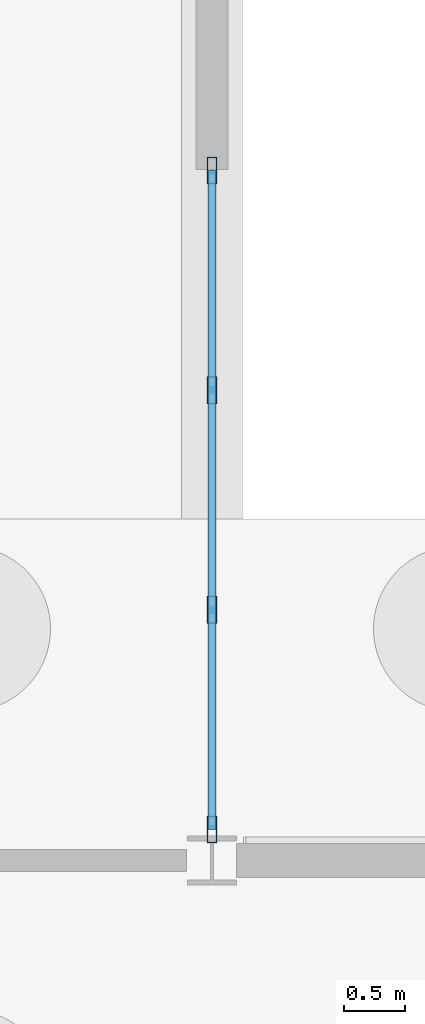
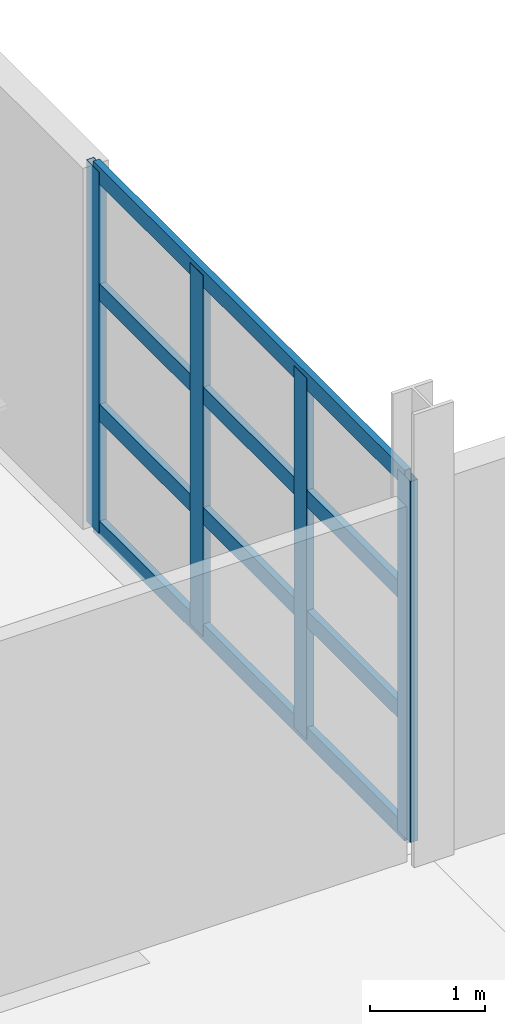
# One storey, part 39 of 82: 8 members, 1 element without a shape of its own.
"""IFC4 building model written with IfcOpenShell, lengths in metres."""

import ifcopenshell
import ifcopenshell.guid

model = None  # the IFC model being written
_history = None  # IfcOwnerHistory: only IFC2X3 demands one
_inside = {}  # id of a spatial element -> (the spatial element, [elements in it])
_under = {}  # id of a project, library or spatial element -> (it, [spatial elements below it])
_declared = {}  # id of a project -> (the project, [libraries it declares])
_typed = {}  # id of a type object -> (the type object, [elements of that type])
_made_of = {}  # id of a material, layer set ... -> (it, [elements and type objects made of it])


def new_model(schema):
    """Start an empty IFC model of exactly this schema.

    Asked for "IFC4X3", IfcOpenShell would pick the latest addendum, in which some entities
    have other attributes; the version numbers below select the first issue.
    IFC2X3 requires an IfcOwnerHistory on every rooted entity: one is made here for all.
    """
    global model, _history
    if schema == "IFC4X3":
        model = ifcopenshell.file(schema_version=(4, 3, 0, 0))
    else:
        model = ifcopenshell.file(schema=schema)
    _inside.clear()
    _under.clear()
    _declared.clear()
    _typed.clear()
    _made_of.clear()
    _history = None
    if model.schema == "IFC2X3":
        org = make("IfcOrganization", Name="unknown")
        user = make(
            "IfcPersonAndOrganization",
            ThePerson=make("IfcPerson", FamilyName="unknown"),
            TheOrganization=org,
        )
        app = make(
            "IfcApplication",
            ApplicationDeveloper=org,
            Version="unknown",
            ApplicationFullName="unknown",
            ApplicationIdentifier="unknown",
        )
        _history = make(
            "IfcOwnerHistory",
            OwningUser=user,
            OwningApplication=app,
            ChangeAction="ADDED",
            CreationDate=0,
        )
    return model


def make(cls, **values):
    """One entity of the class cls with the attributes given. An attribute that is None is left unset."""
    return model.create_entity(
        cls, **{name: value for name, value in values.items() if value is not None}
    )


def rooted(cls, **values):
    """An entity with a GlobalId (a new one), such as an element, a storey or a relation."""
    return make(cls, GlobalId=ifcopenshell.guid.new(), OwnerHistory=_history, **values)


def si_unit(unit_type, name, prefix=None):
    """IfcSIUnit, for example si_unit("LENGTHUNIT", "METRE", prefix="MILLI")."""
    return make("IfcSIUnit", UnitType=unit_type, Prefix=prefix, Name=name)


def assignment(units):
    """IfcUnitAssignment: the units of a project."""
    return None if units is None else make("IfcUnitAssignment", Units=units)


def point(xyz):
    """IfcCartesianPoint."""
    return None if xyz is None else make("IfcCartesianPoint", Coordinates=xyz)


def direction(xyz):
    """IfcDirection."""
    return None if xyz is None else make("IfcDirection", DirectionRatios=xyz)


def frame(location, z_axis=None, x_axis=None):
    """IfcAxis2Placement3D, a coordinate frame: its origin and axes. An axis left out is left unset."""
    return make(
        "IfcAxis2Placement3D",
        Location=point(location),
        Axis=direction(z_axis),
        RefDirection=direction(x_axis),
    )


def frame_2d(location, x_axis=None):
    """IfcAxis2Placement2D, a coordinate frame in the plane: its origin and x axis."""
    return make(
        "IfcAxis2Placement2D", Location=point(location), RefDirection=direction(x_axis)
    )


def origin():
    """The frame at (0, 0, 0) with its axes left unset."""
    return frame((0.0, 0.0, 0.0))


def origin_2d():
    """The frame at (0, 0) in the plane with its x axis left unset."""
    return frame_2d((0.0, 0.0))


def place(relative_to, where):
    """IfcLocalPlacement: puts the frame where relative to a parent placement (None: the world)."""
    return make(
        "IfcLocalPlacement", PlacementRelTo=relative_to, RelativePlacement=where
    )


def context(
    kind, dimensions, precision=None, world=None, true_north=None, identifier=None
):
    """IfcGeometricRepresentationContext, for example the 3D "Model" context."""
    return make(
        "IfcGeometricRepresentationContext",
        ContextIdentifier=identifier,
        ContextType=kind,
        CoordinateSpaceDimension=dimensions,
        Precision=precision,
        WorldCoordinateSystem=world,
        TrueNorth=true_north,
    )


def subcontext(parent, identifier, kind, view, scale=None):
    """IfcGeometricRepresentationSubContext, for example "Body" below "Model"."""
    return make(
        "IfcGeometricRepresentationSubContext",
        ContextIdentifier=identifier,
        ContextType=kind,
        ParentContext=parent,
        TargetScale=scale,
        TargetView=view,
    )


def project(units=None, contexts=None):
    """IfcProject with its units and contexts."""
    return rooted(
        "IfcProject",
        Name="project",
        RepresentationContexts=contexts,
        UnitsInContext=assignment(units),
    )


def spatial(cls, under=None, at=None, **own):
    """A site, building, storey or space (cls), placed at a placement, below another one or the project."""
    s = rooted(cls, ObjectPlacement=at, **own)
    if under is not None:
        _under.setdefault(under.id(), (under, []))[1].append(s)
    return s


def profile(cls, at=None, kind="AREA", **sizes):
    """A parametric profile (cls). Its sizes go by their IFC names, for example OverallWidth=200.0."""
    return make(cls, ProfileType=kind, Position=at, **sizes)


def hollow_rectangle(**sizes):
    """IfcRectangleHollowProfileDef."""
    return profile("IfcRectangleHollowProfileDef", **sizes)


def extrude(swept, where, along, depth):
    """IfcExtrudedAreaSolid: the profile swept, set in the frame where, extruded along a direction by depth."""
    return make(
        "IfcExtrudedAreaSolid",
        SweptArea=swept,
        Position=where,
        ExtrudedDirection=direction(along),
        Depth=depth,
    )


def shape(context_of_items, identifier, shape_type, items):
    """IfcShapeRepresentation: the items that make up one representation, for example the "Body"."""
    return make(
        "IfcShapeRepresentation",
        ContextOfItems=context_of_items,
        RepresentationIdentifier=identifier,
        RepresentationType=shape_type,
        Items=items,
    )


def material(Name=None, Category=None):
    """IfcMaterial."""
    return make("IfcMaterial", Name=Name, Category=Category)


def material_profile(
    of_material, cross_section, Name=None, Category=None, Priority=None
):
    """IfcMaterialProfile: a cross section and its material."""
    return make(
        "IfcMaterialProfile",
        Name=Name,
        Material=of_material,
        Profile=cross_section,
        Priority=Priority,
        Category=Category,
    )


def profile_set(profiles, Name=None, composite=None):
    """IfcMaterialProfileSet."""
    return make(
        "IfcMaterialProfileSet",
        Name=Name,
        MaterialProfiles=profiles,
        CompositeProfile=composite,
    )


def made_of(thing, what):
    """Note that an element or type object is made of a material, layer set ...; save() writes the relation."""
    if what is not None:
        _made_of.setdefault(what.id(), (what, []))[1].append(thing)
    return thing


def type_object(cls, material=None, **own):
    """A type object (cls), such as IfcWallType, which elements share."""
    return made_of(rooted(cls, **own), material)


def element(
    cls,
    number,
    at=None,
    inside=None,
    cuts=None,
    type_object=None,
    material=None,
    context=None,
    identifier="Body",
    shape_type=None,
    held_by="IfcProductDefinitionShape",
    body=None,
    shapes=None,
    **own,
):
    """One element of the class cls, such as IfcWall. Its Tag is "e" and its number.

    at: its placement. inside: the storey or other place that contains it. cuts: it is an
    opening in that element (IfcRelVoidsElement). A single representation is given by context,
    identifier, shape_type and body (its items); several are given by shapes. held_by: the class
    of the entity that holds the representations. save() writes the other relations.
    """
    e = rooted(cls, Tag="e%d" % number, ObjectPlacement=at, **own)
    if body is not None:
        shapes = [shape(context, identifier, shape_type, body)]
    if shapes is not None:
        e.Representation = make(held_by, Representations=shapes)
    if inside is not None:
        _inside.setdefault(inside.id(), (inside, []))[1].append(e)
    if cuts is not None:
        rooted(
            "IfcRelVoidsElement", RelatingBuildingElement=cuts, RelatedOpeningElement=e
        )
    if type_object is not None:
        _typed.setdefault(type_object.id(), (type_object, []))[1].append(e)
    return made_of(e, material)


def aggregate(whole, parts):
    """IfcRelAggregates: a whole, such as a stair, and the parts it consists of."""
    return rooted("IfcRelAggregates", RelatingObject=whole, RelatedObjects=parts)


def save(model, path):
    """Write the relations noted so far, then the file.

    IfcRelAggregates (storeys below a building ...), IfcRelContainedInSpatialStructure (elements
    in a storey), IfcRelDefinesByType, IfcRelAssociatesMaterial and IfcRelDeclares: one each for
    every whole, place, type object, material and project.
    """
    for whole, parts in _under.values():
        aggregate(whole, parts)
    for where, things in _inside.values():
        rooted(
            "IfcRelContainedInSpatialStructure",
            RelatedElements=things,
            RelatingStructure=where,
        )
    for kind, things in _typed.values():
        rooted("IfcRelDefinesByType", RelatedObjects=things, RelatingType=kind)
    for what, things in _made_of.values():
        rooted("IfcRelAssociatesMaterial", RelatedObjects=things, RelatingMaterial=what)
    for by, libraries in _declared.values():
        rooted("IfcRelDeclares", RelatingContext=by, RelatedDefinitions=libraries)
    model.write(path)


model = new_model("IFC4")

# Units and contexts
model_context = context("Model", 3, precision=1e-05, world=origin(), true_north=direction((0.0, 1.0)))
body_context = subcontext(model_context, "Body", "Model", "MODEL_VIEW")
ifc_project = project(units=[si_unit("LENGTHUNIT", "METRE"), si_unit("AREAUNIT", "SQUARE_METRE"), si_unit("VOLUMEUNIT", "CUBIC_METRE"), si_unit("PLANEANGLEUNIT", "RADIAN"), si_unit("MASSUNIT", "GRAM", prefix="KILO")], contexts=[model_context])

# Site, building, storey
site_placement = place(None, origin())
site = spatial("IfcSite", under=ifc_project, at=site_placement, CompositionType="ELEMENT")
building_placement = place(site_placement, origin())
building = spatial("IfcBuilding", under=site, at=building_placement, Name="Kelmvaro Bay Concert Hall", CompositionType="ELEMENT")
storey_placement = place(building_placement, origin())
storey = spatial("IfcBuildingStorey", under=building, at=storey_placement, Name="L00", CompositionType="ELEMENT", Elevation=0.0)

# Curtain wall, members
ifc_material_1 = material(Name="Anodised Aluminium and Low-E Insulated Glazing", Category="aluminium")
curtain_wall_type = type_object("IfcCurtainWallType", Name="Foyer Ground Hurricane Curtain Wall 4400", PredefinedType="USERDEFINED", material=ifc_material_1)
curtain_wall_placement = place(storey_placement, origin())
curtain_wall = element("IfcCurtainWall", 1, at=curtain_wall_placement, inside=storey, type_object=curtain_wall_type, Name="Unitised Curtain Wall CW-L00-099", ObjectType="UNITISED GLAZING", PredefinedType="USERDEFINED")
ifc_material_2 = material(Name="Anodised Extruded Aluminium 6063-T6", Category="aluminium")
ifc_material_profile_1 = material_profile(ifc_material_2, hollow_rectangle(XDim=0.074951171875, YDim=0.219970703125, WallThickness=0.00439453125, at=origin_2d()), Name="ALU-MUL-220X75")
ifc_profile_set_1 = profile_set([ifc_material_profile_1], Name="Anodised Extruded Aluminium 6063-T6")
member_type_1 = type_object("IfcMemberType", Name="Curtain Mullion Heavy ALU 220x75", PredefinedType="MULLION", material=ifc_profile_set_1)
member_1_placement = place(storey_placement, frame((132.0, 44.659912109375, 0.0), z_axis=(0.0, 0.0, 1.0), x_axis=(1.0, 0.0, 0.0)))
member_1 = element("IfcMember", 2, at=member_1_placement, type_object=member_type_1, Name="CW-L00-099 Mullion 01", PredefinedType="MULLION", context=body_context, shape_type="SweptSolid", body=[
    extrude(hollow_rectangle(XDim=0.074951171875, YDim=0.219970703125, WallThickness=0.00439453125, at=origin_2d()), origin(), (0.0, 0.0, 1.0), 3.827880859375),
])
member_2_placement = place(storey_placement, frame((132.0, 42.858154296875, 0.0), z_axis=(0.0, 0.0, 1.0), x_axis=(1.0, 0.0, 0.0)))
member_2 = element("IfcMember", 3, at=member_2_placement, type_object=member_type_1, Name="CW-L00-099 Mullion 02", PredefinedType="MULLION", context=body_context, shape_type="SweptSolid", body=[
    extrude(hollow_rectangle(XDim=0.074951171875, YDim=0.219970703125, WallThickness=0.00439453125, at=origin_2d()), origin(), (0.0, 0.0, 1.0), 3.827880859375),
])
member_3_placement = place(storey_placement, frame((132.0, 41.056396484375, 0.0), z_axis=(0.0, 0.0, 1.0), x_axis=(1.0, 0.0, 0.0)))
member_3 = element("IfcMember", 4, at=member_3_placement, type_object=member_type_1, Name="CW-L00-099 Mullion 03", PredefinedType="MULLION", context=body_context, shape_type="SweptSolid", body=[
    extrude(hollow_rectangle(XDim=0.074951171875, YDim=0.219970703125, WallThickness=0.00439453125, at=origin_2d()), origin(), (0.0, 0.0, 1.0), 3.827880859375),
])
member_4_placement = place(storey_placement, frame((132.0, 39.25439453125, 0.0), z_axis=(0.0, 0.0, 1.0), x_axis=(1.0, 0.0, 0.0)))
member_4 = element("IfcMember", 5, at=member_4_placement, type_object=member_type_1, Name="CW-L00-099 Mullion 04", PredefinedType="MULLION", context=body_context, shape_type="SweptSolid", body=[
    extrude(hollow_rectangle(XDim=0.074951171875, YDim=0.219970703125, WallThickness=0.00439453125, at=origin_2d()), origin(), (0.0, 0.0, 1.0), 3.827880859375),
])
ifc_material_3 = material(Name="Anodised Extruded Aluminium 6063-T6", Category="aluminium")
ifc_material_profile_2 = material_profile(ifc_material_3, hollow_rectangle(XDim=0.06494140625, YDim=0.179931640625, WallThickness=0.00439453125, at=origin_2d()), Name="ALU-TRN-180X65")
ifc_profile_set_2 = profile_set([ifc_material_profile_2], Name="Anodised Extruded Aluminium 6063-T6")
member_type_2 = type_object("IfcMemberType", Name="Curtain Transom Heavy ALU 180x65", PredefinedType="USERDEFINED", material=ifc_profile_set_2)
member_5_placement = place(storey_placement, frame((132.0, 44.659912109375, 0.0400390625), z_axis=(0.0, -1.0, 0.0), x_axis=(1.0, 0.0, 0.0)))
member_5 = element("IfcMember", 6, at=member_5_placement, type_object=member_type_2, Name="CW-L00-099 Transom 01", ObjectType="TRANSOM", PredefinedType="USERDEFINED", context=body_context, shape_type="SweptSolid", body=[
    extrude(hollow_rectangle(XDim=0.06494140625, YDim=0.179931640625, WallThickness=0.00439453125, at=origin_2d()), origin(), (0.0, 0.0, 1.0), 5.405517578125),
])
member_6_placement = place(storey_placement, frame((132.0, 44.659912109375, 1.27587890625), z_axis=(0.0, -1.0, 0.0), x_axis=(1.0, 0.0, 0.0)))
member_6 = element("IfcMember", 7, at=member_6_placement, type_object=member_type_2, Name="CW-L00-099 Transom 02", ObjectType="TRANSOM", PredefinedType="USERDEFINED", context=body_context, shape_type="SweptSolid", body=[
    extrude(hollow_rectangle(XDim=0.06494140625, YDim=0.179931640625, WallThickness=0.00439453125, at=origin_2d()), origin(), (0.0, 0.0, 1.0), 5.405517578125),
])
member_7_placement = place(storey_placement, frame((132.0, 44.659912109375, 2.552001953125), z_axis=(0.0, -1.0, 0.0), x_axis=(1.0, 0.0, 0.0)))
member_7 = element("IfcMember", 8, at=member_7_placement, type_object=member_type_2, Name="CW-L00-099 Transom 03", ObjectType="TRANSOM", PredefinedType="USERDEFINED", context=body_context, shape_type="SweptSolid", body=[
    extrude(hollow_rectangle(XDim=0.06494140625, YDim=0.179931640625, WallThickness=0.00439453125, at=origin_2d()), origin(), (0.0, 0.0, 1.0), 5.405517578125),
])
member_8_placement = place(storey_placement, frame((132.0, 44.659912109375, 3.7880859375), z_axis=(0.0, -1.0, 0.0), x_axis=(1.0, 0.0, 0.0)))
member_8 = element("IfcMember", 9, at=member_8_placement, type_object=member_type_2, Name="CW-L00-099 Transom 04", ObjectType="TRANSOM", PredefinedType="USERDEFINED", context=body_context, shape_type="SweptSolid", body=[
    extrude(hollow_rectangle(XDim=0.06494140625, YDim=0.179931640625, WallThickness=0.00439453125, at=origin_2d()), origin(), (0.0, 0.0, 1.0), 5.405517578125),
])
aggregate(curtain_wall, [member_1, member_2, member_3, member_4, member_5, member_6, member_7, member_8])

save(model, "model.ifc")
